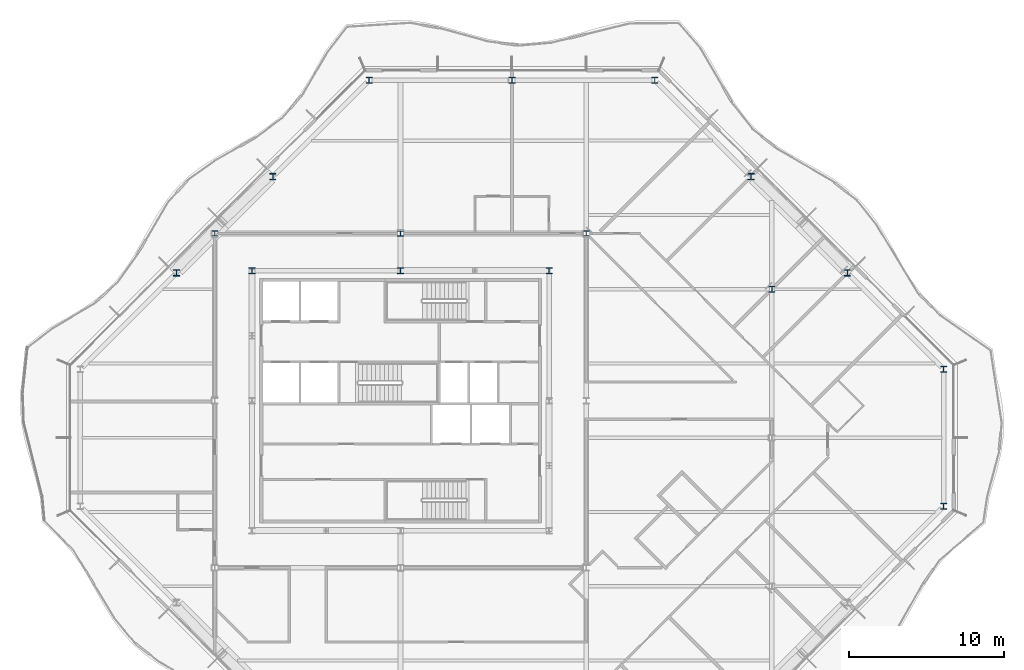
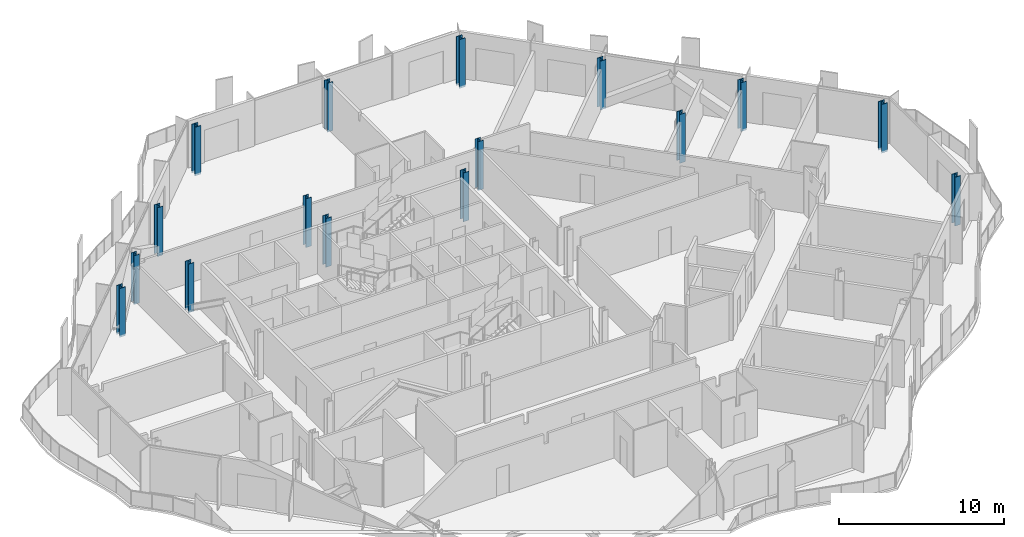
# One storey, part 2 of 17: 16 columns.
"""IFC4 building model written with IfcOpenShell, lengths in metres."""

from ifc_helpers import new_model, si_unit, direction, frame, origin, origin_2d, place, context, subcontext, project, spatial, i_section, extrude, material, material_profile, profile_set, type_object, element, save


model = new_model("IFC4")

# Units and contexts
model_context = context("Model", 3, precision=1e-05, world=origin(), true_north=direction((0.0, 1.0)))
body_context = subcontext(model_context, "Body", "Model", "MODEL_VIEW")
ifc_project = project(units=[si_unit("LENGTHUNIT", "METRE"), si_unit("AREAUNIT", "SQUARE_METRE"), si_unit("VOLUMEUNIT", "CUBIC_METRE"), si_unit("PLANEANGLEUNIT", "RADIAN"), si_unit("MASSUNIT", "GRAM", prefix="KILO")], contexts=[model_context])

# Site, building, storey
site_placement = place(None, origin())
site = spatial("IfcSite", under=ifc_project, at=site_placement, CompositionType="ELEMENT")
building_placement = place(site_placement, origin())
building = spatial("IfcBuilding", under=site, at=building_placement, Name="Cairn Pilgrim Tower", CompositionType="ELEMENT")
storey_placement = place(building_placement, frame((0.0, 0.0, 250.199951171875)))
storey = spatial("IfcBuildingStorey", under=building, at=storey_placement, Name="L64", CompositionType="ELEMENT", Elevation=250.199951171875)

# Columns
ifc_material_1 = material(Name="Structural steel S355J2", Category="steel")
ifc_material_profile_1 = material_profile(ifc_material_1, i_section(OverallWidth=0.39404296875, OverallDepth=0.375, WebThickness=0.017333984375, FlangeThickness=0.027587890625, FilletRadius=0.014892578125, at=origin_2d()), Name="HD 400x216")
ifc_profile_set_1 = profile_set([ifc_material_profile_1], Name="Structural steel S355J2")
column_type_1 = type_object("IfcColumnType", Name="HD 400x216", PredefinedType="COLUMN", material=ifc_profile_set_1)
for number, where, z_axis, x_axis, name in (
    (1, (-4.800048828125, 13.199951171875, -0.14990234375), (0.0, 0.0, 1.0), (1.0, 0.0, 0.0), "IC-6"),
    (2, (7.199951171875, 13.199951171875, -0.14990234375), (0.0, 0.0, 1.0), (1.0, 0.0, 0.0), "IC-7"),
    (3, (19.199951171875, 13.199951171875, -0.14990234375), (0.0, 0.0, 1.0), (1.0, 0.0, 0.0), "IC-8"),
):
    element("IfcColumn", number, at=place(storey_placement, frame(where, z_axis=z_axis, x_axis=x_axis)), inside=storey, type_object=column_type_1, Name=name, PredefinedType="COLUMN", context=body_context, shape_type="SweptSolid", body=[
        extrude(i_section(OverallWidth=0.39404296875, OverallDepth=0.375, WebThickness=0.017333984375, FlangeThickness=0.027587890625, FilletRadius=0.014892578125, at=origin_2d()), origin(), (0.0, 0.0, 1.0), 3.599853515625),
    ])
ifc_material_profile_2 = material_profile(ifc_material_1, i_section(OverallWidth=0.39794921875, OverallDepth=0.386962890625, WebThickness=0.02099609375, FlangeThickness=0.033203125, FilletRadius=0.014892578125, at=origin_2d()), Name="HD 400x262")
ifc_profile_set_2 = profile_set([ifc_material_profile_2], Name="Structural steel S355J2")
column_type_2 = type_object("IfcColumnType", Name="HD 400x262", PredefinedType="COLUMN", material=ifc_profile_set_2)
for number, where, z_axis, x_axis, name in (
    (4, (-2.39990234375, 10.800048828125, -0.14990234375), (0.0, 0.0, 1.0), (1.0, 0.0, 0.0), "KC-6"),
    (5, (7.199951171875, 10.800048828125, -0.14990234375), (0.0, 0.0, 1.0), (1.0, 0.0, 0.0), "KC-7"),
    (6, (16.800048828125, 10.800048828125, -0.14990234375), (0.0, 0.0, 1.0), (1.0, 0.0, 0.0), "KC-8"),
):
    element("IfcColumn", number, at=place(storey_placement, frame(where, z_axis=z_axis, x_axis=x_axis)), inside=storey, type_object=column_type_2, Name=name, PredefinedType="COLUMN", context=body_context, shape_type="SweptSolid", body=[
        extrude(i_section(OverallWidth=0.39794921875, OverallDepth=0.386962890625, WebThickness=0.02099609375, FlangeThickness=0.033203125, FilletRadius=0.014892578125, at=origin_2d()), origin(), (0.0, 0.0, 1.0), 3.599853515625),
    ])
ifc_material_profile_3 = material_profile(ifc_material_1, i_section(OverallWidth=0.39892578125, OverallDepth=0.39306640625, WebThickness=0.022705078125, FlangeThickness=0.03662109375, FilletRadius=0.014892578125, at=origin_2d()), Name="HD 400x287")
ifc_profile_set_3 = profile_set([ifc_material_profile_3], Name="Structural steel S355J2")
column_type_3 = type_object("IfcColumnType", Name="HD 400x287", PredefinedType="COLUMN", material=ifc_profile_set_3)
column_placement = place(storey_placement, frame((31.199951171875, 9.60009765625, -0.14990234375), z_axis=(0.0, 0.0, 1.0), x_axis=(1.0, 0.0, 0.0)))
element("IfcColumn", 7, at=column_placement, inside=storey, type_object=column_type_3, Name="WC-WE+2", PredefinedType="COLUMN", context=body_context, shape_type="SweptSolid", body=[
    extrude(i_section(OverallWidth=0.39892578125, OverallDepth=0.39306640625, WebThickness=0.022705078125, FlangeThickness=0.03662109375, FilletRadius=0.014892578125, at=origin_2d()), origin(), (0.0, 0.0, 1.0), 3.599853515625),
])
ifc_material_2 = material(Name="Structural steel S460M", Category="steel")
ifc_material_profile_4 = material_profile(ifc_material_2, i_section(OverallWidth=0.404052734375, OverallDepth=0.406982421875, WebThickness=0.027099609375, FlangeThickness=0.043701171875, FilletRadius=0.014892578125, at=origin_2d()), Name="HD 400x347")
ifc_profile_set_4 = profile_set([ifc_material_profile_4], Name="Structural steel S460M")
column_type_4 = type_object("IfcColumnType", Name="HD 400x347", PredefinedType="COLUMN", material=ifc_profile_set_4)
for number, where, z_axis, x_axis, name in (
    (8, (42.300048828125, -4.42724609375, -0.14990234375), (0.0, 0.0, 1.0), (1.0, 0.0, 0.0), "PC3-E1"),
    (9, (42.300048828125, 4.42724609375, -0.14990234375), (0.0, 0.0, 1.0), (1.0, 0.0, 0.0), "PC3-NE1"),
    (10, (36.07568359375, 10.651611328125, -0.14990234375), (0.0, 0.0, 1.0), (1.0, 0.0, 0.0), "PC3-NE2"),
    (11, (29.8515625, 16.875732421875, -0.14990234375), (0.0, 0.0, 1.0), (1.0, 0.0, 0.0), "PC3-NE3"),
    (12, (23.627197265625, 23.10009765625, -0.14990234375), (0.0, 0.0, 1.0), (1.0, 0.0, 0.0), "PC3-N1"),
    (13, (14.39990234375, 23.10009765625, -0.14990234375), (0.0, 0.0, 1.0), (1.0, 0.0, 0.0), "PC3-N2"),
    (14, (5.1728515625, 23.10009765625, -0.14990234375), (0.0, 0.0, 1.0), (1.0, 0.0, 0.0), "PC3-NW1"),
    (15, (-1.051513671875, 16.875732421875, -0.14990234375), (0.0, 0.0, 1.0), (1.0, 0.0, 0.0), "PC3-NW2"),
    (16, (-7.275634765625, 10.651611328125, -0.14990234375), (0.0, 0.0, 1.0), (1.0, 0.0, 0.0), "PC3-NW3"),
):
    element("IfcColumn", number, at=place(storey_placement, frame(where, z_axis=z_axis, x_axis=x_axis)), inside=storey, type_object=column_type_4, Name=name, PredefinedType="COLUMN", context=body_context, shape_type="SweptSolid", body=[
        extrude(i_section(OverallWidth=0.404052734375, OverallDepth=0.406982421875, WebThickness=0.027099609375, FlangeThickness=0.043701171875, FilletRadius=0.014892578125, at=origin_2d()), origin(), (0.0, 0.0, 1.0), 3.599853515625),
    ])

save(model, "model.ifc")
